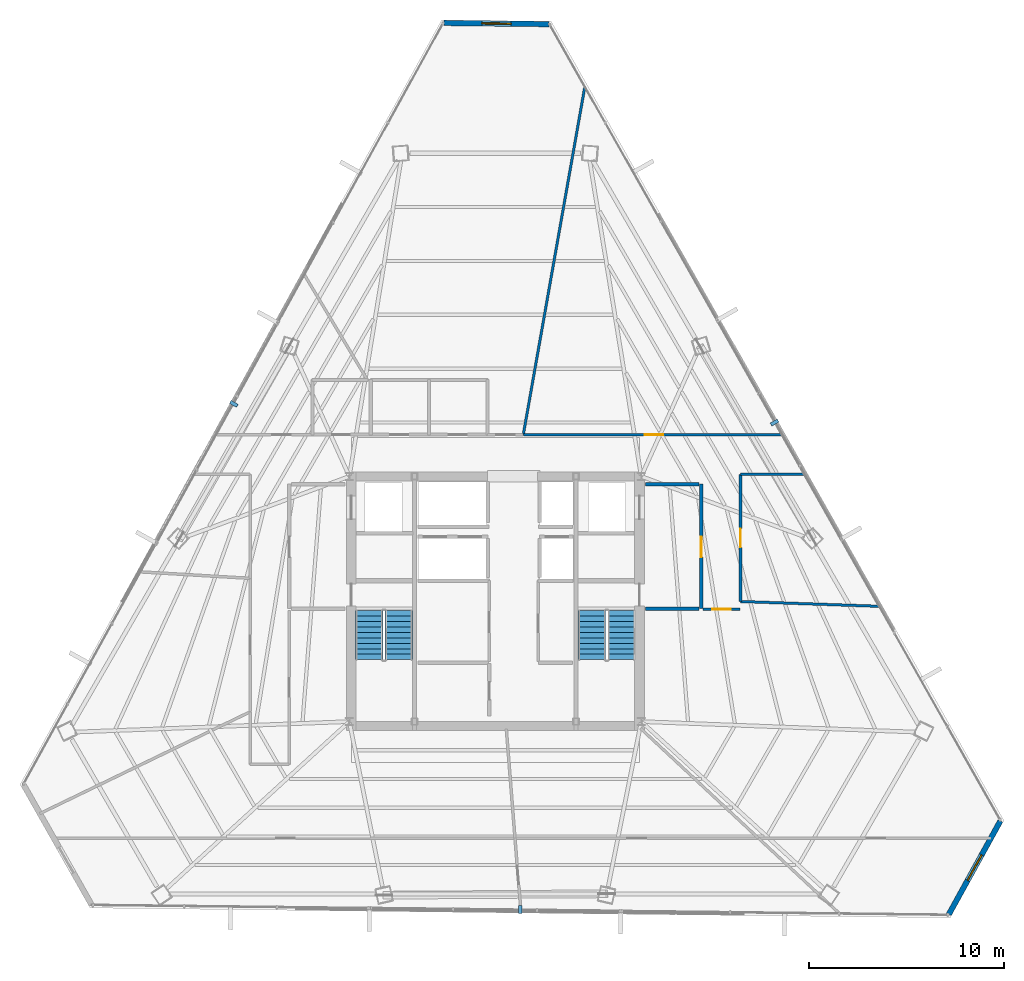
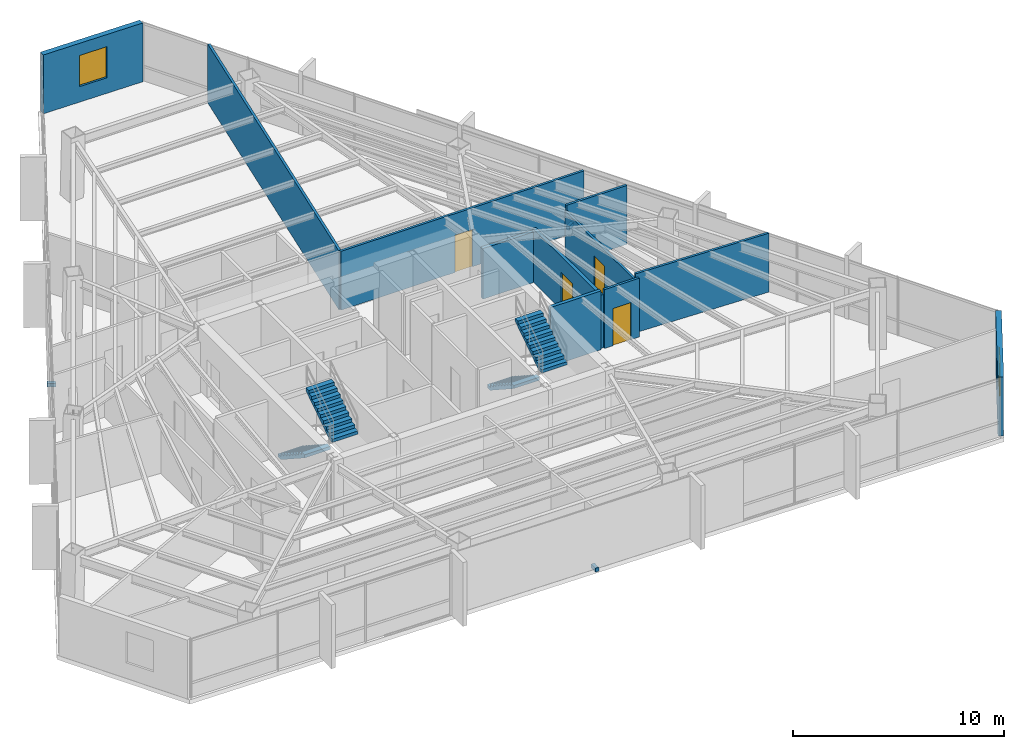
# One storey, part 37 of 40: 11 walls, 4 doors, 4 stair flights, 3 discrete accessories, 2 windows, 6 openings, 2 elements without a shape of their own.
"""IFC4 building model written with IfcOpenShell, lengths in metres."""

from ifc_helpers import new_model, si_unit, direction, frame, frame_2d, origin, origin_2d, place, context, subcontext, project, spatial, polyline, rectangle, outline, extrude, source, transform, mapped, material, layer, layer_set, type_object, type_shapes, element, fill, aggregate, save


model = new_model("IFC4")

# Units and contexts
model_context = context("Model", 3, precision=1e-05, world=origin(), true_north=direction((0.0, 1.0)))
body_context = subcontext(model_context, "Body", "Model", "MODEL_VIEW")
ifc_project = project(units=[si_unit("LENGTHUNIT", "METRE"), si_unit("AREAUNIT", "SQUARE_METRE"), si_unit("VOLUMEUNIT", "CUBIC_METRE"), si_unit("PLANEANGLEUNIT", "RADIAN"), si_unit("MASSUNIT", "GRAM", prefix="KILO")], contexts=[model_context])

# Site, building, storey
site_placement = place(None, origin())
site = spatial("IfcSite", under=ifc_project, at=site_placement, CompositionType="ELEMENT")
building_placement = place(site_placement, origin())
building = spatial("IfcBuilding", under=site, at=building_placement, Name="Caelisora Broadcast Tower", CompositionType="ELEMENT")
storey_placement = place(building_placement, frame((0.0, 0.0, 213.25)))
storey = spatial("IfcBuildingStorey", under=building, at=storey_placement, Name="L56", CompositionType="ELEMENT", Elevation=213.25)

# Wall, opening, window
ifc_material_1 = material(Name="Insulated Terracotta Spandrel Wall System", Category="masonry")
ifc_layer_1 = layer(ifc_material_1, 0.280029296875, Name="Insulated Terracotta Spandrel Wall System")
ifc_layer_set_1 = layer_set([ifc_layer_1], Name="Insulated Terracotta Spandrel Wall System")
wall_type_1 = type_object("IfcWallType", Name="EW1", PredefinedType="STANDARD", material=ifc_layer_set_1)
wall_1_placement = place(storey_placement, frame((63.95556640625, 12.291748046875, 0.0), z_axis=(0.0, 0.0, 1.0), x_axis=(-0.482914902646, -0.875667286589, 0.0)))
wall_1 = element("IfcWall", 1, at=wall_1_placement, inside=storey, type_object=wall_type_1, Name="L56 exterior envelope wall EW1", PredefinedType="STANDARD", context=body_context, shape_type="SweptSolid", body=[
    extrude(rectangle(XDim=5.483154296875, YDim=0.280029296875, at=frame_2d((2.74169921875, 0.0))), origin(), (0.0, 0.0, 1.0), 3.39990234375),
])
opening_1_placement = place(wall_1_placement, frame((1.989990234375, 0.0, 0.89990234375)))
opening_1 = element("IfcOpeningElement", 2, at=opening_1_placement, cuts=wall_1, Name="Opening W02", PredefinedType="OPENING", context=body_context, shape_type="SweptSolid", body=[
    extrude(rectangle(XDim=1.5, YDim=1.800048828125, at=frame_2d((0.75, 0.89990234375))), frame((0.0, 0.152099609375, 0.0), z_axis=(0.0, -1.0, 0.0), x_axis=(1.0, 0.0, 0.0)), (0.0, 0.0, 1.0), 0.303955078125),
])
ifc_material_2 = material(Name="Double Glazed Terracotta-Framed Vision Window", Category="glass")
window_type = type_object("IfcWindowType", Name="W02", PartitioningType="SINGLE_PANEL", PredefinedType="WINDOW", material=ifc_material_2)
window_1_placement = place(opening_1_placement, origin())
window_1 = element("IfcWindow", 3, at=window_1_placement, inside=storey, type_object=window_type, Name="L56 window W02 (L56-WN-CH0)", OverallHeight=1.800048828125, OverallWidth=1.5, PartitioningType="SINGLE_PANEL", PredefinedType="WINDOW", context=body_context, shape_type="SweptSolid", body=[
    extrude(rectangle(XDim=1.5, YDim=1.800048828125, at=frame_2d((0.75, 0.89990234375))), frame((0.0, 0.030029296875, 0.0), z_axis=(0.0, -1.0, 0.0), x_axis=(1.0, 0.0, 0.0)), (0.0, 0.0, 1.0), 0.06005859375),
])
fill(opening_1, window_1)

wall_2_placement = place(storey_placement, frame((35.35791015625, 53.302734375, 0.0), z_axis=(0.0, 0.0, 1.0), x_axis=(0.999935007148, -0.011400942078, 0.0)))
wall_2 = element("IfcWall", 4, at=wall_2_placement, inside=storey, type_object=wall_type_1, Name="L56 exterior envelope wall EW1", PredefinedType="STANDARD", context=body_context, shape_type="SweptSolid", body=[
    extrude(rectangle(XDim=5.396240234375, YDim=0.280029296875, at=frame_2d((2.6982421875, 0.0))), origin(), (0.0, 0.0, 1.0), 3.39990234375),
])
opening_2_placement = place(wall_2_placement, frame((1.949951171875, 0.0, 0.89990234375)))
opening_2 = element("IfcOpeningElement", 5, at=opening_2_placement, cuts=wall_2, Name="Opening W02", PredefinedType="OPENING", context=body_context, shape_type="SweptSolid", body=[
    extrude(rectangle(XDim=1.5, YDim=1.800048828125, at=frame_2d((0.75, 0.89990234375))), frame((0.0, 0.152099609375, 0.0), z_axis=(0.0, -1.0, 0.0), x_axis=(1.0, 0.0, 0.0)), (0.0, 0.0, 1.0), 0.303955078125),
])
window_2_placement = place(opening_2_placement, origin())
window_2 = element("IfcWindow", 6, at=window_2_placement, inside=storey, type_object=window_type, Name="L56 window W02 (L56-WN-CH8)", OverallHeight=1.800048828125, OverallWidth=1.5, PartitioningType="SINGLE_PANEL", PredefinedType="WINDOW", context=body_context, shape_type="SweptSolid", body=[
    extrude(rectangle(XDim=1.5, YDim=1.800048828125, at=frame_2d((0.75, 0.89990234375))), frame((0.0, 0.030029296875, 0.0), z_axis=(0.0, -1.0, 0.0), x_axis=(1.0, 0.0, 0.0)), (0.0, 0.0, 1.0), 0.06005859375),
])
fill(opening_2, window_2)

# Wall, opening, door
ifc_material_3 = material(Name="Fire-Rated Gypsum Shaft and Compartment Wall", Category="gypsum")
ifc_layer_2 = layer(ifc_material_3, 0.179931640625, Name="Fire-Rated Gypsum Shaft and Compartment Wall")
ifc_layer_set_2 = layer_set([ifc_layer_2], Name="Fire-Rated Gypsum Shaft and Compartment Wall")
wall_type_2 = type_object("IfcWallType", Name="PW2", PredefinedType="PARTITIONING", material=ifc_layer_set_2)
wall_3_placement = place(storey_placement, frame((48.580078125, 23.199951171875, 0.0), z_axis=(0.0, 0.0, 1.0), x_axis=(0.0, 1.0, 0.0)))
wall_3 = element("IfcWall", 7, at=wall_3_placement, inside=storey, type_object=wall_type_2, Name="L56 fire compartment wall PW2", PredefinedType="PARTITIONING", context=body_context, shape_type="SweptSolid", body=[
    extrude(rectangle(XDim=6.400146484375, YDim=0.179931640625, at=frame_2d((3.2001953125, 0.0))), origin(), (0.0, 0.0, 1.0), 3.077880859375),
])
opening_3_placement = place(wall_3_placement, frame((2.64990234375, 0.0, 0.0)))
opening_3 = element("IfcOpeningElement", 8, at=opening_3_placement, cuts=wall_3, Name="Opening FD02", PredefinedType="OPENING", context=body_context, shape_type="SweptSolid", body=[
    extrude(rectangle(XDim=1.050048828125, YDim=2.14990234375, at=frame_2d((0.52490234375, 1.074951171875))), frame((0.0, 0.10205078125, 0.0), z_axis=(0.0, -1.0, 0.0), x_axis=(1.0, 0.0, 0.0)), (0.0, 0.0, 1.0), 0.203857421875),
])
ifc_material_4 = material(Name="Single-Leaf Steel Fire Lobby Door", Category="steel")
door_type_1 = type_object("IfcDoorType", Name="FD02", OperationType="NOTDEFINED", PredefinedType="DOOR", material=ifc_material_4)
door_1_placement = place(opening_3_placement, origin())
door_1 = element("IfcDoor", 9, at=door_1_placement, inside=storey, type_object=door_type_1, Name="L56 door FD02 (L56-DR-P04D1)", OperationType="SINGLE_SWING_RIGHT", OverallHeight=2.14990234375, OverallWidth=1.050048828125, PredefinedType="DOOR", context=body_context, shape_type="SweptSolid", body=[
    extrude(rectangle(XDim=1.050048828125, YDim=2.14990234375, at=frame_2d((0.52490234375, 1.074951171875))), frame((0.0, 0.02490234375, 0.0), z_axis=(0.0, -1.0, 0.0), x_axis=(1.0, 0.0, 0.0)), (0.0, 0.0, 1.0), 0.050048828125),
])
fill(opening_3, door_1)

# Walls
wall_4_placement = place(storey_placement, frame((45.719970703125, 23.199951171875, 0.0), z_axis=(0.0, 0.0, 1.0), x_axis=(1.0, 0.0, 0.0)))
element("IfcWall", 10, at=wall_4_placement, inside=storey, type_object=wall_type_2, Name="L56 fire compartment wall PW2", PredefinedType="PARTITIONING", context=body_context, shape_type="SweptSolid", body=[
    extrude(rectangle(XDim=2.760009765625, YDim=0.179931640625, at=frame_2d((1.3798828125, 0.0))), origin(), (0.0, 0.0, 1.0), 3.39990234375),
])
wall_5_placement = place(storey_placement, frame((45.719970703125, 29.60009765625, 0.0), z_axis=(0.0, 0.0, 1.0), x_axis=(1.0, 0.0, 0.0)))
element("IfcWall", 11, at=wall_5_placement, inside=storey, type_object=wall_type_2, Name="L56 fire compartment wall PW2", PredefinedType="PARTITIONING", context=body_context, shape_type="SweptSolid", body=[
    extrude(rectangle(XDim=2.760009765625, YDim=0.179931640625, at=frame_2d((1.3798828125, 0.0))), origin(), (0.0, 0.0, 1.0), 2.924560546875),
])
ifc_material_5 = material(Name="Acoustic Steel-Stud Plasterboard Partition", Category="gypsum")
ifc_layer_3 = layer(ifc_material_5, 0.1298828125, Name="Acoustic Steel-Stud Plasterboard Partition")
ifc_layer_set_3 = layer_set([ifc_layer_3], Name="Acoustic Steel-Stud Plasterboard Partition")
wall_type_3 = type_object("IfcWallType", Name="PW3", PredefinedType="PARTITIONING", material=ifc_layer_set_3)
wall_6_placement = place(storey_placement, frame((39.44091796875, 32.155029296875, 0.0), z_axis=(0.0, 0.0, 1.0), x_axis=(0.174130400131, 0.984722602437, 0.0)))
element("IfcWall", 12, at=wall_6_placement, inside=storey, type_object=wall_type_3, Name="L56 internal partition PW3", PredefinedType="PARTITIONING", context=body_context, shape_type="SweptSolid", body=[
    extrude(rectangle(XDim=18.162353515625, YDim=0.1298828125, at=frame_2d((9.0810546875, 0.0))), origin(), (0.0, 0.0, 1.0), 3.39990234375),
])

# Wall, opening, door
wall_7_placement = place(storey_placement, frame((39.445068359375, 32.14990234375, 0.0), z_axis=(0.0, 0.0, 1.0), x_axis=(1.0, 0.0, 0.0)))
wall_7 = element("IfcWall", 13, at=wall_7_placement, inside=storey, type_object=wall_type_3, Name="L56 internal partition PW3", PredefinedType="PARTITIONING", context=body_context, shape_type="SweptSolid", body=[
    extrude(rectangle(XDim=13.29443359375, YDim=0.1298828125, at=frame_2d((6.647216796875, 0.0))), origin(), (0.0, 0.0, 1.0), 3.39990234375),
])
opening_4_placement = place(wall_7_placement, frame((6.222900390625, 0.0, 0.0)))
opening_4 = element("IfcOpeningElement", 14, at=opening_4_placement, cuts=wall_7, Name="Opening D01", PredefinedType="OPENING", context=body_context, shape_type="SweptSolid", body=[
    extrude(rectangle(XDim=0.9599609375, YDim=2.14990234375, at=frame_2d((0.47998046875, 1.074951171875))), frame((0.0, 0.076904296875, 0.0), z_axis=(0.0, -1.0, 0.0), x_axis=(1.0, 0.0, 0.0)), (0.0, 0.0, 1.0), 0.15380859375),
])
ifc_material_6 = material(Name="Solid-Core Timber Acoustic Office Door", Category="wood")
door_type_2 = type_object("IfcDoorType", Name="D01", OperationType="NOTDEFINED", PredefinedType="DOOR", material=ifc_material_6)
door_2_placement = place(opening_4_placement, origin())
door_2 = element("IfcDoor", 15, at=door_2_placement, inside=storey, type_object=door_type_2, Name="L56 door D01 (L56-DR-P26D1)", OperationType="SINGLE_SWING_RIGHT", OverallHeight=2.14990234375, OverallWidth=0.9599609375, PredefinedType="DOOR", context=body_context, shape_type="SweptSolid", body=[
    extrude(rectangle(XDim=0.9599609375, YDim=2.14990234375, at=frame_2d((0.47998046875, 1.074951171875))), frame((0.0, 0.02490234375, 0.0), z_axis=(0.0, -1.0, 0.0), x_axis=(1.0, 0.0, 0.0)), (0.0, 0.0, 1.0), 0.050048828125),
])
fill(opening_4, door_2)

# Wall
wall_8_placement = place(storey_placement, frame((50.60498046875, 23.570068359375, 0.0), z_axis=(0.0, 0.0, 1.0), x_axis=(0.999404577066, -0.034503497511, 0.0)))
element("IfcWall", 16, at=wall_8_placement, inside=storey, type_object=wall_type_3, Name="L56 internal partition PW3", PredefinedType="PARTITIONING", context=body_context, shape_type="SweptSolid", body=[
    extrude(rectangle(XDim=7.139404296875, YDim=0.1298828125, at=frame_2d((3.56982421875, 0.0))), origin(), (0.0, 0.0, 1.0), 3.39990234375),
])

# Wall, opening, door
wall_9_placement = place(storey_placement, frame((50.60009765625, 23.574951171875, 0.0), z_axis=(0.0, 0.0, 1.0), x_axis=(0.0, 1.0, 0.0)))
wall_9 = element("IfcWall", 17, at=wall_9_placement, inside=storey, type_object=wall_type_3, Name="L56 internal partition PW3", PredefinedType="PARTITIONING", context=body_context, shape_type="SweptSolid", body=[
    extrude(rectangle(XDim=6.52001953125, YDim=0.1298828125, at=frame_2d((3.260009765625, 0.0))), origin(), (0.0, 0.0, 1.0), 3.077880859375),
])
opening_5_placement = place(wall_9_placement, frame((2.780029296875, 0.0, 0.0)))
opening_5 = element("IfcOpeningElement", 18, at=opening_5_placement, cuts=wall_9, Name="Opening D01", PredefinedType="OPENING", context=body_context, shape_type="SweptSolid", body=[
    extrude(rectangle(XDim=0.9599609375, YDim=2.14990234375, at=frame_2d((0.47998046875, 1.074951171875))), frame((0.0, 0.076904296875, 0.0), z_axis=(0.0, -1.0, 0.0), x_axis=(1.0, 0.0, 0.0)), (0.0, 0.0, 1.0), 0.15380859375),
])
door_3_placement = place(opening_5_placement, origin())
door_3 = element("IfcDoor", 19, at=door_3_placement, inside=storey, type_object=door_type_2, Name="L56 door D01 (L56-DR-P36D1)", OperationType="SINGLE_SWING_LEFT", OverallHeight=2.14990234375, OverallWidth=0.9599609375, PredefinedType="DOOR", context=body_context, shape_type="SweptSolid", body=[
    extrude(rectangle(XDim=0.9599609375, YDim=2.14990234375, at=frame_2d((0.47998046875, 1.074951171875))), frame((0.0, 0.02490234375, 0.0), z_axis=(0.0, -1.0, 0.0), x_axis=(1.0, 0.0, 0.0)), (0.0, 0.0, 1.0), 0.050048828125),
])
fill(opening_5, door_3)

# Wall
wall_10_placement = place(storey_placement, frame((50.60498046875, 30.10009765625, 0.0), z_axis=(0.0, 0.0, 1.0), x_axis=(1.0, 0.0, 0.0)))
element("IfcWall", 20, at=wall_10_placement, inside=storey, type_object=wall_type_3, Name="L56 internal partition PW3", PredefinedType="PARTITIONING", context=body_context, shape_type="SweptSolid", body=[
    extrude(rectangle(XDim=3.2958984375, YDim=0.1298828125, at=frame_2d((1.64794921875, 0.0))), origin(), (0.0, 0.0, 1.0), 3.39990234375),
])

# Wall, opening, door
wall_11_placement = place(storey_placement, frame((48.675048828125, 23.179931640625, 0.0), z_axis=(0.0, 0.0, 1.0), x_axis=(1.0, 0.0, 0.0)))
wall_11 = element("IfcWall", 21, at=wall_11_placement, inside=storey, type_object=wall_type_3, Name="L56 internal partition PW3", PredefinedType="PARTITIONING", context=body_context, shape_type="SweptSolid", body=[
    extrude(rectangle(XDim=1.905029296875, YDim=0.1298828125, at=frame_2d((0.95263671875, 0.0))), origin(), (0.0, 0.0, 1.0), 3.39990234375),
])
opening_6_placement = place(wall_11_placement, frame((0.472900390625, 0.0, 0.0)))
opening_6 = element("IfcOpeningElement", 22, at=opening_6_placement, cuts=wall_11, Name="Opening D01", PredefinedType="OPENING", context=body_context, shape_type="SweptSolid", body=[
    extrude(rectangle(XDim=0.9599609375, YDim=2.14990234375, at=frame_2d((0.47998046875, 1.074951171875))), frame((0.0, 0.076904296875, 0.0), z_axis=(0.0, -1.0, 0.0), x_axis=(1.0, 0.0, 0.0)), (0.0, 0.0, 1.0), 0.15380859375),
])
door_4_placement = place(opening_6_placement, origin())
door_4 = element("IfcDoor", 23, at=door_4_placement, inside=storey, type_object=door_type_2, Name="L56 door D01 (L56-DR-P47D1)", OperationType="SINGLE_SWING_RIGHT", OverallHeight=2.14990234375, OverallWidth=0.9599609375, PredefinedType="DOOR", context=body_context, shape_type="SweptSolid", body=[
    extrude(rectangle(XDim=0.9599609375, YDim=2.14990234375, at=frame_2d((0.47998046875, 1.074951171875))), frame((0.0, 0.02490234375, 0.0), z_axis=(0.0, -1.0, 0.0), x_axis=(1.0, 0.0, 0.0)), (0.0, 0.0, 1.0), 0.050048828125),
])
fill(opening_6, door_4)

# Stair, stair flights
ifc_material_7 = material(Name="Concrete 40 MPa (AS 3600 N40)", Category="concrete")
stair_type_1 = type_object("IfcStairType", Name="ST-1", PredefinedType="HALF_TURN_STAIR", material=ifc_material_7)
stair_1_placement = place(storey_placement, origin())
stair_1 = element("IfcStair", 24, at=stair_1_placement, inside=storey, type_object=stair_type_1, Name="L56 West Fire-Isolated Tower Stair", PredefinedType="HALF_TURN_STAIR")
stair_flight_type = type_object("IfcStairFlightType", Name="STF-3", PredefinedType="STRAIGHT", material=ifc_material_7)
stair_flight_1_placement = place(storey_placement, frame((31.52001953125, 23.10009765625, 0.0), z_axis=(0.0, 0.0, 1.0), x_axis=(0.0, -1.0, 0.0)))
stair_flight_1 = element("IfcStairFlight", 25, at=stair_flight_1_placement, type_object=stair_flight_type, Name="ST-1 flight 1", NumberOfRisers=10, NumberOfTreads=9, PredefinedType="STRAIGHT", RiserHeight=0.1825, TreadLength=0.28, context=body_context, shape_type="SweptSolid", body=[
    extrude(outline(polyline([(0.0, 0.0), (0.0, 0.1826171875), (0.280029296875, 0.1826171875), (0.280029296875, 0.364990234375), (0.56005859375, 0.364990234375), (0.56005859375, 0.547607421875), (0.840087890625, 0.547607421875), (0.840087890625, 0.72998046875), (1.1201171875, 0.72998046875), (1.1201171875, 0.91259765625), (1.39990234375, 0.91259765625), (1.39990234375, 1.094970703125), (1.679931640625, 1.094970703125), (1.679931640625, 1.277587890625), (1.9599609375, 1.277587890625), (1.9599609375, 1.4599609375), (2.239990234375, 1.4599609375), (2.239990234375, 1.642578125), (2.52001953125, 1.642578125), (2.52001953125, 1.824951171875), (2.52001953125, 1.463623046875), (0.2744140625, 0.0), (0.0, 0.0)])), frame((0.0, 0.699951171875, 0.0), z_axis=(0.0, -1.0, 0.0), x_axis=(1.0, 0.0, 0.0)), (0.0, 0.0, 1.0), 1.39990234375),
])
stair_flight_2_placement = place(storey_placement, frame((33.0400390625, 20.580078125, 1.824951171875), z_axis=(0.0, 0.0, 1.0), x_axis=(0.0, 1.0, 0.0)))
stair_flight_2 = element("IfcStairFlight", 26, at=stair_flight_2_placement, type_object=stair_flight_type, Name="ST-1 flight 2", NumberOfRisers=10, NumberOfTreads=9, PredefinedType="STRAIGHT", RiserHeight=0.1825, TreadLength=0.28, context=body_context, shape_type="SweptSolid", body=[
    extrude(outline(polyline([(0.0, 0.0), (0.0, 0.1826171875), (0.280029296875, 0.1826171875), (0.280029296875, 0.364990234375), (0.56005859375, 0.364990234375), (0.56005859375, 0.547607421875), (0.840087890625, 0.547607421875), (0.840087890625, 0.72998046875), (1.1201171875, 0.72998046875), (1.1201171875, 0.91259765625), (1.39990234375, 0.91259765625), (1.39990234375, 1.094970703125), (1.679931640625, 1.094970703125), (1.679931640625, 1.277587890625), (1.9599609375, 1.277587890625), (1.9599609375, 1.4599609375), (2.239990234375, 1.4599609375), (2.239990234375, 1.642578125), (2.52001953125, 1.642578125), (2.52001953125, 1.824951171875), (2.52001953125, 1.463623046875), (0.2744140625, 0.0), (0.0, 0.0)])), frame((0.0, 0.699951171875, 0.0), z_axis=(0.0, -1.0, 0.0), x_axis=(1.0, 0.0, 0.0)), (0.0, 0.0, 1.0), 1.39990234375),
])
aggregate(stair_1, [stair_flight_1, stair_flight_2])

stair_type_2 = type_object("IfcStairType", Name="ST-2", PredefinedType="HALF_TURN_STAIR", material=ifc_material_7)
stair_2_placement = place(storey_placement, origin())
stair_2 = element("IfcStair", 27, at=stair_2_placement, inside=storey, type_object=stair_type_2, Name="L56 East Fire-Isolated Tower Stair", PredefinedType="HALF_TURN_STAIR")
stair_flight_3_placement = place(storey_placement, frame((42.9599609375, 23.10009765625, 0.0), z_axis=(0.0, 0.0, 1.0), x_axis=(0.0, -1.0, 0.0)))
stair_flight_3 = element("IfcStairFlight", 28, at=stair_flight_3_placement, type_object=stair_flight_type, Name="ST-2 flight 1", NumberOfRisers=10, NumberOfTreads=9, PredefinedType="STRAIGHT", RiserHeight=0.1825, TreadLength=0.28, context=body_context, shape_type="SweptSolid", body=[
    extrude(outline(polyline([(0.0, 0.0), (0.0, 0.1826171875), (0.280029296875, 0.1826171875), (0.280029296875, 0.364990234375), (0.56005859375, 0.364990234375), (0.56005859375, 0.547607421875), (0.840087890625, 0.547607421875), (0.840087890625, 0.72998046875), (1.1201171875, 0.72998046875), (1.1201171875, 0.91259765625), (1.39990234375, 0.91259765625), (1.39990234375, 1.094970703125), (1.679931640625, 1.094970703125), (1.679931640625, 1.277587890625), (1.9599609375, 1.277587890625), (1.9599609375, 1.4599609375), (2.239990234375, 1.4599609375), (2.239990234375, 1.642578125), (2.52001953125, 1.642578125), (2.52001953125, 1.824951171875), (2.52001953125, 1.463623046875), (0.2744140625, 0.0), (0.0, 0.0)])), frame((0.0, 0.699951171875, 0.0), z_axis=(0.0, -1.0, 0.0), x_axis=(1.0, 0.0, 0.0)), (0.0, 0.0, 1.0), 1.39990234375),
])
stair_flight_4_placement = place(storey_placement, frame((44.47998046875, 20.580078125, 1.824951171875), z_axis=(0.0, 0.0, 1.0), x_axis=(0.0, 1.0, 0.0)))
stair_flight_4 = element("IfcStairFlight", 29, at=stair_flight_4_placement, type_object=stair_flight_type, Name="ST-2 flight 2", NumberOfRisers=10, NumberOfTreads=9, PredefinedType="STRAIGHT", RiserHeight=0.1825, TreadLength=0.28, context=body_context, shape_type="SweptSolid", body=[
    extrude(outline(polyline([(0.0, 0.0), (0.0, 0.1826171875), (0.280029296875, 0.1826171875), (0.280029296875, 0.364990234375), (0.56005859375, 0.364990234375), (0.56005859375, 0.547607421875), (0.840087890625, 0.547607421875), (0.840087890625, 0.72998046875), (1.1201171875, 0.72998046875), (1.1201171875, 0.91259765625), (1.39990234375, 0.91259765625), (1.39990234375, 1.094970703125), (1.679931640625, 1.094970703125), (1.679931640625, 1.277587890625), (1.9599609375, 1.277587890625), (1.9599609375, 1.4599609375), (2.239990234375, 1.4599609375), (2.239990234375, 1.642578125), (2.52001953125, 1.642578125), (2.52001953125, 1.824951171875), (2.52001953125, 1.463623046875), (0.2744140625, 0.0), (0.0, 0.0)])), frame((0.0, 0.699951171875, 0.0), z_axis=(0.0, -1.0, 0.0), x_axis=(1.0, 0.0, 0.0)), (0.0, 0.0, 1.0), 1.39990234375),
])
aggregate(stair_2, [stair_flight_3, stair_flight_4])

# Discrete accessories
ifc_material_8 = material(Name="Steel Grade 350 (AS/NZS 3679.1)", Category="steel")
discrete_accessory_type = type_object("IfcDiscreteAccessoryType", Name="BRK-1", PredefinedType="BRACKET", material=ifc_material_8)
shared_shape = source(origin(), body_context, "Body", "SweptSolid", [
    extrude(rectangle(XDim=0.179931640625, YDim=0.419921875, at=origin_2d()), origin(), (0.0, 0.0, 1.0), 0.219970703125),
])
type_shapes(discrete_accessory_type, [shared_shape])
for number, where, z_axis, x_axis, name in (
    (30, (24.564697265625, 33.72509765625, -0.16015625), (0.0, 0.0, 1.0), (-0.482976759048, -0.875633171036, 0.0), "L56 solar screen outrigger bracket #1"),
    (31, (39.278564453125, 7.74658203125, -0.16015625), (0.0, 0.0, 1.0), (0.99993365506, -0.011518918316, 0.0), "L56 solar screen outrigger bracket #2"),
    (32, (52.350341796875, 32.765869140625, -0.16015625), (0.0, 0.0, 1.0), (-0.493031062956, 0.87001170737, 0.0), "L56 solar screen outrigger bracket #3"),
):
    element("IfcDiscreteAccessory", number, at=place(storey_placement, frame(where, z_axis=z_axis, x_axis=x_axis)), inside=storey, type_object=discrete_accessory_type, Name=name, PredefinedType="BRACKET", context=body_context, shape_type="MappedRepresentation", body=[
        mapped(shared_shape, transform((0.0, 0.0, 0.0), scale=1.0)),
    ])

save(model, "model.ifc")
